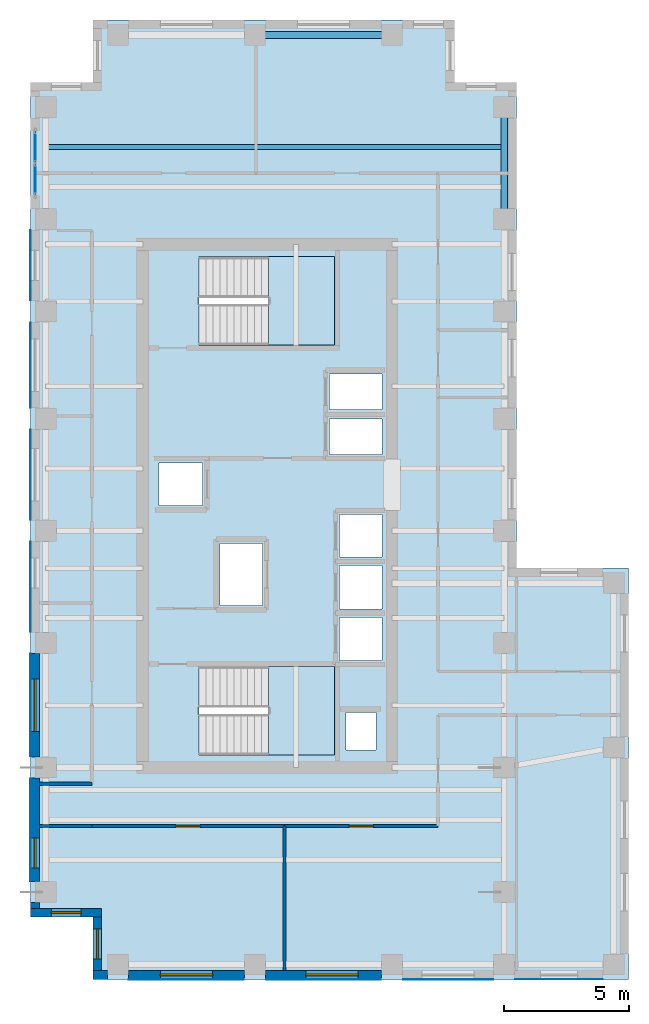
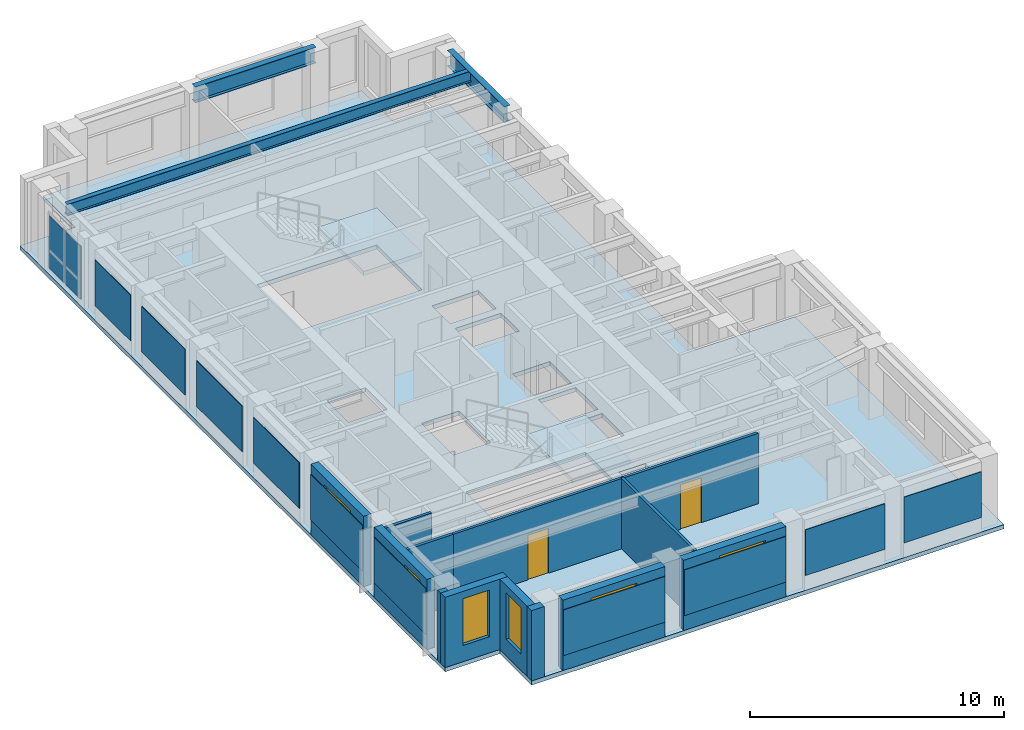
# One storey, part 5 of 10: 13 walls, 12 plates, 6 windows, 3 beams, 3 slabs, 2 doors, 8 openings, 3 elements without a shape of their own.
"""IFC4 building model written with IfcOpenShell, lengths in metres."""

from ifc_helpers import new_model, si_unit, direction, frame, frame_2d, origin, origin_2d, place, context, subcontext, project, spatial, polyline, rectangle, i_section, outline, extrude, source, transform, mapped, material, layer, layer_set, material_profile, profile_set, type_object, element, fill, aggregate, save


model = new_model("IFC4")

# Units and contexts
model_context = context("Model", 3, precision=1e-05, world=origin(), true_north=direction((0.0, 1.0)))
body_context = subcontext(model_context, "Body", "Model", "MODEL_VIEW")
ifc_project = project(units=[si_unit("LENGTHUNIT", "METRE"), si_unit("AREAUNIT", "SQUARE_METRE"), si_unit("VOLUMEUNIT", "CUBIC_METRE"), si_unit("PLANEANGLEUNIT", "RADIAN"), si_unit("MASSUNIT", "GRAM", prefix="KILO")], contexts=[model_context])

# Site, building, storey
site_placement = place(None, origin())
site = spatial("IfcSite", under=ifc_project, at=site_placement, CompositionType="ELEMENT")
building_placement = place(site_placement, origin())
building = spatial("IfcBuilding", under=site, at=building_placement, Name="Kharzan Plaza Tower", CompositionType="ELEMENT")
storey_placement = place(building_placement, frame((0.0, 0.0, 266.39990234375)))
storey = spatial("IfcBuildingStorey", under=building, at=storey_placement, Name="L72", CompositionType="ELEMENT", Elevation=266.39990234375)

# Beams
ifc_material_1 = material(Name="Steel S355", Category="steel")
ifc_material_profile_1 = material_profile(ifc_material_1, i_section(OverallWidth=0.2099609375, OverallDepth=0.537109375, WebThickness=0.010986328125, FlangeThickness=0.017333984375, at=origin_2d()), Name="W530x101")
ifc_profile_set_1 = profile_set([ifc_material_profile_1], Name="Steel S355")
beam_type_1 = type_object("IfcBeamType", Name="BM-JST530B", PredefinedType="JOIST", material=ifc_profile_set_1)
shared_shape_1 = source(origin(), body_context, "Body", "SweptSolid", [
    extrude(i_section(OverallWidth=0.2099609375, OverallDepth=0.537109375, WebThickness=0.010986328125, FlangeThickness=0.017333984375, at=origin_2d()), origin(), (0.0, 0.0, 1.0), 18.39990234375),
])
beam_1_placement = place(storey_placement, frame((0.60009765625, 33.39990234375, 3.131591796875), z_axis=(1.0, 0.0, 0.0), x_axis=(0.0, 1.0, 0.0)))
element("IfcBeam", 1, at=beam_1_placement, inside=storey, type_object=beam_type_1, Name="L72 Wing A Composite Joist 05", PredefinedType="JOIST", context=body_context, shape_type="MappedRepresentation", body=[
    mapped(shared_shape_1, transform((0.0, 0.0, 0.0), x_axis=(1.0, 0.0, 0.0), y_axis=(0.0, 1.0, 0.0), z_axis=(0.0, 0.0, 1.0))),
])
ifc_material_profile_2 = material_profile(ifc_material_1, i_section(OverallWidth=0.26708984375, OverallDepth=0.76611328125, WebThickness=0.014892578125, FlangeThickness=0.023681640625, at=origin_2d()), Name="W760x185")
ifc_profile_set_2 = profile_set([ifc_material_profile_2], Name="Steel S355")
beam_type_2 = type_object("IfcBeamType", Name="BM-SP760B", PredefinedType="SPANDREL", material=ifc_profile_set_2)
shared_shape_2 = source(origin(), body_context, "Body", "SweptSolid", [
    extrude(i_section(OverallWidth=0.26708984375, OverallDepth=0.76611328125, WebThickness=0.014892578125, FlangeThickness=0.023681640625, at=origin_2d()), origin(), (0.0, 0.0, 1.0), 4.5),
])
beam_2_placement = place(storey_placement, frame((19.0, 30.5, 3.01708984375), z_axis=(0.0, 1.0, 0.0), x_axis=(-1.0, 0.0, 0.0)))
element("IfcBeam", 2, at=beam_2_placement, inside=storey, type_object=beam_type_2, Name="L72 Perimeter Tube Spandrel", PredefinedType="SPANDREL", context=body_context, shape_type="MappedRepresentation", body=[
    mapped(shared_shape_2, transform((0.0, 0.0, 0.0), x_axis=(1.0, 0.0, 0.0), y_axis=(0.0, 1.0, 0.0), z_axis=(0.0, 0.0, 1.0))),
])
shared_shape_3 = source(origin(), body_context, "Body", "SweptSolid", [
    extrude(i_section(OverallWidth=0.26708984375, OverallDepth=0.76611328125, WebThickness=0.014892578125, FlangeThickness=0.023681640625, at=origin_2d()), origin(), (0.0, 0.0, 1.0), 5.5),
])
beam_3_placement = place(storey_placement, frame((9.0, 37.89990234375, 3.01708984375), z_axis=(1.0, 0.0, 0.0), x_axis=(0.0, 1.0, 0.0)))
element("IfcBeam", 3, at=beam_3_placement, inside=storey, type_object=beam_type_2, Name="L72 Perimeter Tube Spandrel", PredefinedType="SPANDREL", context=body_context, shape_type="MappedRepresentation", body=[
    mapped(shared_shape_3, transform((0.0, 0.0, 0.0), x_axis=(1.0, 0.0, 0.0), y_axis=(0.0, 1.0, 0.0), z_axis=(0.0, 0.0, 1.0))),
])

# Slab
ifc_material_2 = material(Name="Concrete C40/50", Category="concrete")
ifc_layer_1 = layer(ifc_material_2, 0.199951171875)
ifc_layer_set_1 = layer_set([ifc_layer_1], Name="Concrete C40/50")
slab_type_1 = type_object("IfcSlabType", Name="SL-FLOOR-200", PredefinedType="FLOOR", material=ifc_layer_set_1)
slab_1_placement = place(storey_placement, frame((0.0, 0.0, -0.199951171875)))
element("IfcSlab", 4, at=slab_1_placement, inside=storey, type_object=slab_type_1, Name="L72 Composite Structural Floor Slab 200 mm", PredefinedType="FLOOR", context=body_context, shape_type="SweptSolid", body=[
    extrude(outline(polyline([(19.5, 36.0), (17.0, 36.0), (17.0, 38.5), (2.5, 38.5), (2.5, 36.0), (0.0, 36.0), (0.0, 2.5), (2.5, 2.5), (2.5, 0.0), (19.5, 0.0), (24.0, 0.0), (24.0, 16.5), (19.5, 16.5), (19.5, 36.0)]), holes=[polyline([(13.85009765625, 10.699951171875), (12.64990234375, 10.699951171875), (12.64990234375, 9.199951171875), (13.85009765625, 9.199951171875), (13.85009765625, 10.699951171875)]), polyline([(12.199951171875, 12.550048828125), (6.75, 12.550048828125), (6.75, 9.0), (12.199951171875, 9.0), (12.199951171875, 12.550048828125)]), polyline([(14.10009765625, 14.530029296875), (12.39990234375, 14.530029296875), (12.39990234375, 12.800048828125), (14.10009765625, 12.800048828125), (14.10009765625, 14.530029296875)]), polyline([(14.10009765625, 14.8701171875), (14.10009765625, 16.60009765625), (12.39990234375, 16.60009765625), (12.39990234375, 14.8701171875), (14.10009765625, 14.8701171875)]), polyline([(9.300048828125, 15.0), (9.300048828125, 17.5), (7.60009765625, 17.5), (7.60009765625, 15.0), (9.300048828125, 15.0)]), polyline([(14.10009765625, 18.64990234375), (12.39990234375, 18.64990234375), (12.39990234375, 16.93994140625), (14.10009765625, 16.93994140625), (14.10009765625, 18.64990234375)]), polyline([(6.89990234375, 20.72998046875), (5.14990234375, 20.72998046875), (5.14990234375, 19.010009765625), (6.89990234375, 19.010009765625), (6.89990234375, 20.72998046875)]), polyline([(14.10009765625, 22.489990234375), (12.0, 22.489990234375), (12.0, 21.070068359375), (14.10009765625, 21.070068359375), (14.10009765625, 22.489990234375)]), polyline([(14.10009765625, 22.8701171875), (14.10009765625, 24.2900390625), (12.0, 24.2900390625), (12.0, 22.8701171875), (14.10009765625, 22.8701171875)]), polyline([(12.199951171875, 25.449951171875), (12.199951171875, 29.0), (6.75, 29.0), (6.75, 25.449951171875), (12.199951171875, 25.449951171875)])]), origin(), (0.0, 0.0, 1.0), 0.199951171875),
])

# Stair, slab
stair_type_1 = type_object("IfcStairType", Name="STR-ST-1", PredefinedType="HALF_TURN_STAIR", material=ifc_material_2)
stair_1_placement = place(storey_placement, origin())
stair_1 = element("IfcStair", 5, at=stair_1_placement, inside=storey, type_object=stair_type_1, Name="L72 Protected Exit Stair ST-1", PredefinedType="HALF_TURN_STAIR")
ifc_layer_2 = layer(ifc_material_2, 0.219970703125)
ifc_layer_set_2 = layer_set([ifc_layer_2], Name="Concrete C40/50")
slab_type_2 = type_object("IfcSlabType", Name="SL-LANDING-220", PredefinedType="LANDING", material=ifc_layer_set_2)
slab_2_placement = place(storey_placement, frame((0.0, 0.0, 1.60009765625)))
slab_2 = element("IfcSlab", 6, at=slab_2_placement, type_object=slab_type_2, Name="ST-1 landing 1", PredefinedType="LANDING", context=body_context, shape_type="SweptSolid", body=[
    extrude(outline(polyline([(9.550048828125, 9.0), (12.199951171875, 9.0), (12.199951171875, 12.550048828125), (9.550048828125, 12.550048828125), (9.550048828125, 9.0)])), origin(), (0.0, 0.0, 1.0), 0.199951171875),
])
aggregate(stair_1, [slab_2])

stair_type_2 = type_object("IfcStairType", Name="STR-ST-2", PredefinedType="HALF_TURN_STAIR", material=ifc_material_2)
stair_2_placement = place(storey_placement, origin())
stair_2 = element("IfcStair", 7, at=stair_2_placement, inside=storey, type_object=stair_type_2, Name="L72 Protected Exit Stair ST-2", PredefinedType="HALF_TURN_STAIR")
slab_3_placement = place(storey_placement, frame((0.0, 0.0, 1.60009765625)))
slab_3 = element("IfcSlab", 8, at=slab_3_placement, type_object=slab_type_2, Name="ST-2 landing 1", PredefinedType="LANDING", context=body_context, shape_type="SweptSolid", body=[
    extrude(outline(polyline([(9.550048828125, 25.449951171875), (12.199951171875, 25.449951171875), (12.199951171875, 29.0), (9.550048828125, 29.0), (9.550048828125, 25.449951171875)])), origin(), (0.0, 0.0, 1.0), 0.199951171875),
])
aggregate(stair_2, [slab_3])

# Plates
ifc_material_3 = material(Name="Perforated Bronze-Anodized Aluminium", Category="aluminium")
ifc_layer_3 = layer(ifc_material_3, 0.030029296875)
ifc_layer_set_3 = layer_set([ifc_layer_3], Name="Perforated Bronze-Anodized Aluminium")
plate_type_1 = type_object("IfcPlateType", Name="PLT-MASH-SCREEN", PredefinedType="SHEET", material=ifc_layer_set_3)
shared_shape_4 = source(origin(), body_context, "Body", "SweptSolid", [
    extrude(rectangle(XDim=3.614013671875, YDim=0.030029296875, at=origin_2d()), origin(), (0.0, 0.0, 1.0), 2.199951171875),
])
for number, where, z_axis, x_axis, name in (
    (9, (-0.012939453125, 20.25, 0.72998046875), (0.0, 0.0, 1.0), (0.0, -1.0, 0.0), "L72 Perforated Mashrabiya Solar Screen"),
    (10, (-0.012939453125, 15.75, 0.72998046875), (0.0, 0.0, 1.0), (0.0, -1.0, 0.0), "L72 Perforated Mashrabiya Solar Screen"),
    (11, (16.75, -0.012939453125, 0.72998046875), (0.0, 0.0, 1.0), (1.0, 0.0, 0.0), "L72 Perforated Mashrabiya Solar Screen"),
):
    element("IfcPlate", number, at=place(storey_placement, frame(where, z_axis=z_axis, x_axis=x_axis)), inside=storey, type_object=plate_type_1, Name=name, PredefinedType="SHEET", context=body_context, shape_type="MappedRepresentation", body=[
        mapped(shared_shape_4, transform((0.0, 0.0, 0.0), x_axis=(1.0, 0.0, 0.0), y_axis=(0.0, 1.0, 0.0), z_axis=(0.0, 0.0, 1.0))),
    ])
shared_shape_5 = source(origin(), body_context, "Body", "SweptSolid", [
    extrude(rectangle(XDim=2.81396484375, YDim=0.030029296875, at=origin_2d()), origin(), (0.0, 0.0, 1.0), 2.199951171875),
])
plate_1_placement = place(storey_placement, frame((-0.012939453125, 28.64990234375, 0.72998046875), z_axis=(0.0, 0.0, 1.0), x_axis=(0.0, -1.0, 0.0)))
element("IfcPlate", 12, at=plate_1_placement, inside=storey, type_object=plate_type_1, Name="L72 Perforated Mashrabiya Solar Screen", PredefinedType="SHEET", context=body_context, shape_type="MappedRepresentation", body=[
    mapped(shared_shape_5, transform((0.0, 0.0, 0.0), x_axis=(1.0, 0.0, 0.0), y_axis=(0.0, 1.0, 0.0), z_axis=(0.0, 0.0, 1.0))),
])
shared_shape_6 = source(origin(), body_context, "Body", "SweptSolid", [
    extrude(rectangle(XDim=4.114013671875, YDim=0.030029296875, at=origin_2d()), origin(), (0.0, 0.0, 1.0), 2.199951171875),
])
for number, where, z_axis, x_axis, name in (
    (13, (-0.012939453125, 11.0, 0.72998046875), (0.0, 0.0, 1.0), (0.0, -1.0, 0.0), "L72 Perforated Mashrabiya Solar Screen"),
    (14, (-0.012939453125, 6.0, 0.72998046875), (0.0, 0.0, 1.0), (0.0, -1.0, 0.0), "L72 Perforated Mashrabiya Solar Screen"),
):
    element("IfcPlate", number, at=place(storey_placement, frame(where, z_axis=z_axis, x_axis=x_axis)), inside=storey, type_object=plate_type_1, Name=name, PredefinedType="SHEET", context=body_context, shape_type="MappedRepresentation", body=[
        mapped(shared_shape_6, transform((0.0, 0.0, 0.0), x_axis=(1.0, 0.0, 0.0), y_axis=(0.0, 1.0, 0.0), z_axis=(0.0, 0.0, 1.0))),
    ])
shared_shape_7 = source(origin(), body_context, "Body", "SweptSolid", [
    extrude(rectangle(XDim=4.614013671875, YDim=0.030029296875, at=origin_2d()), origin(), (0.0, 0.0, 1.0), 2.199951171875),
])
for number, where, z_axis, x_axis, name in (
    (15, (6.25, -0.012939453125, 0.72998046875), (0.0, 0.0, 1.0), (1.0, 0.0, 0.0), "L72 Perforated Mashrabiya Solar Screen"),
    (16, (11.75, -0.012939453125, 0.72998046875), (0.0, 0.0, 1.0), (1.0, 0.0, 0.0), "L72 Perforated Mashrabiya Solar Screen"),
):
    element("IfcPlate", number, at=place(storey_placement, frame(where, z_axis=z_axis, x_axis=x_axis)), inside=storey, type_object=plate_type_1, Name=name, PredefinedType="SHEET", context=body_context, shape_type="MappedRepresentation", body=[
        mapped(shared_shape_7, transform((0.0, 0.0, 0.0), x_axis=(1.0, 0.0, 0.0), y_axis=(0.0, 1.0, 0.0), z_axis=(0.0, 0.0, 1.0))),
    ])
shared_shape_8 = source(origin(), body_context, "Body", "SweptSolid", [
    extrude(rectangle(XDim=3.4140625, YDim=0.030029296875, at=origin_2d()), origin(), (0.0, 0.0, 1.0), 2.199951171875),
])
plate_2_placement = place(storey_placement, frame((-0.012939453125, 24.64990234375, 0.72998046875), z_axis=(0.0, 0.0, 1.0), x_axis=(0.0, -1.0, 0.0)))
element("IfcPlate", 17, at=plate_2_placement, inside=storey, type_object=plate_type_1, Name="L72 Perforated Mashrabiya Solar Screen", PredefinedType="SHEET", context=body_context, shape_type="MappedRepresentation", body=[
    mapped(shared_shape_8, transform((0.0, 0.0, 0.0), x_axis=(1.0, 0.0, 0.0), y_axis=(0.0, 1.0, 0.0), z_axis=(0.0, 0.0, 1.0))),
])

# Curtain wall, plates
ifc_material_4 = material(Name="Unitised Bronze-Anodized Aluminium and Low-E Glass", Category="aluminium")
ifc_layer_4 = layer(ifc_material_4, 0.199951171875)
ifc_layer_set_4 = layer_set([ifc_layer_4], Name="Unitised Bronze-Anodized Aluminium and Low-E Glass")
curtain_wall_type = type_object("IfcCurtainWallType", Name="CW-EXEC-5", PredefinedType="NOTDEFINED", material=ifc_layer_set_4)
curtain_wall_placement = place(storey_placement, origin())
curtain_wall = element("IfcCurtainWall", 18, at=curtain_wall_placement, inside=storey, type_object=curtain_wall_type, Name="L72 Upper Executive Setback Panoramic Curtain Wall", PredefinedType="NOTDEFINED")
ifc_material_5 = material(Name="Dark Solar-Control Double Glazing", Category="glass")
ifc_layer_5 = layer(ifc_material_5, 0.031982421875)
ifc_layer_set_5 = layer_set([ifc_layer_5], Name="Dark Solar-Control Double Glazing")
plate_type_2 = type_object("IfcPlateType", Name="PLT-CW-GLASS", PredefinedType="CURTAIN_PANEL", material=ifc_layer_set_5)
shared_shape_9 = source(origin(), body_context, "Body", "SweptSolid", [
    extrude(rectangle(XDim=1.179931640625, YDim=0.031982421875, at=origin_2d()), origin(), (0.0, 0.0, 1.0), 2.5400390625),
])
plate_3_placement = place(storey_placement, frame((0.179931640625, 32.10009765625, 0.080078125), z_axis=(0.0, 0.0, 1.0), x_axis=(0.0, 1.0, 0.0)))
plate_3 = element("IfcPlate", 19, at=plate_3_placement, type_object=plate_type_2, Name="L72 Curtain-Wall Glazed Panel 00", PredefinedType="CURTAIN_PANEL", context=body_context, shape_type="MappedRepresentation", body=[
    mapped(shared_shape_9, transform((0.0, 0.0, 0.0), x_axis=(1.0, 0.0, 0.0), y_axis=(0.0, 1.0, 0.0), z_axis=(0.0, 0.0, 1.0))),
])
plate_4_placement = place(storey_placement, frame((0.179931640625, 33.39990234375, 0.080078125), z_axis=(0.0, 0.0, 1.0), x_axis=(0.0, 1.0, 0.0)))
plate_4 = element("IfcPlate", 20, at=plate_4_placement, type_object=plate_type_2, Name="L72 Curtain-Wall Glazed Panel 01", PredefinedType="CURTAIN_PANEL", context=body_context, shape_type="MappedRepresentation", body=[
    mapped(shared_shape_9, transform((0.0, 0.0, 0.0), x_axis=(1.0, 0.0, 0.0), y_axis=(0.0, 1.0, 0.0), z_axis=(0.0, 0.0, 1.0))),
])
aggregate(curtain_wall, [plate_3, plate_4])

# Plate
shared_shape_10 = source(origin(), body_context, "Body", "SweptSolid", [
    extrude(rectangle(XDim=3.513916015625, YDim=0.030029296875, at=origin_2d()), origin(), (0.0, 0.0, 1.0), 2.199951171875),
])
plate_5_placement = place(storey_placement, frame((21.199951171875, -0.012939453125, 0.72998046875), z_axis=(0.0, 0.0, 1.0), x_axis=(1.0, 0.0, 0.0)))
element("IfcPlate", 21, at=plate_5_placement, inside=storey, type_object=plate_type_1, Name="L72 Perforated Mashrabiya Solar Screen", PredefinedType="SHEET", context=body_context, shape_type="MappedRepresentation", body=[
    mapped(shared_shape_10, transform((0.0, 0.0, 0.0), x_axis=(1.0, 0.0, 0.0), y_axis=(0.0, 1.0, 0.0), z_axis=(0.0, 0.0, 1.0))),
])

# Wall, opening, window
ifc_layer_6 = layer(ifc_material_2, 0.35009765625)
ifc_layer_set_6 = layer_set([ifc_layer_6], Name="Concrete C40/50")
wall_type_1 = type_object("IfcWallType", Name="WL-EXT-MAS-Z4", PredefinedType="SOLIDWALL", material=ifc_layer_set_6)
wall_1_placement = place(storey_placement, frame((0.175048828125, 13.076904296875, 0.0), z_axis=(0.0, 0.0, 1.0), x_axis=(0.0, -1.0, 0.0)))
wall_1 = element("IfcWall", 22, at=wall_1_placement, inside=storey, type_object=wall_type_1, Name="L72 Masonry-Frame Exterior Wall 15", PredefinedType="SOLIDWALL", context=body_context, shape_type="SweptSolid", body=[
    extrude(rectangle(XDim=4.15380859375, YDim=0.35009765625, at=frame_2d((2.076904296875, 0.0))), origin(), (0.0, 0.0, 1.0), 3.385009765625),
])
opening_1_placement = place(wall_1_placement, frame((1.027099609375, 0.0, 0.780029296875)))
opening_1 = element("IfcOpeningElement", 23, at=opening_1_placement, cuts=wall_1, Name="Opening W6", PredefinedType="OPENING", context=body_context, shape_type="SweptSolid", body=[
    extrude(rectangle(XDim=2.10009765625, YDim=2.25, at=frame_2d((1.050048828125, 1.125))), frame((0.0, 0.18505859375, 0.0), z_axis=(0.0, -1.0, 0.0), x_axis=(1.0, 0.0, 0.0)), (0.0, 0.0, 1.0), 0.3701171875),
])
ifc_material_6 = material(Name="Low-E Double Glazing", Category="glass")
window_type_1 = type_object("IfcWindowType", Name="WN-EXEC-2100x2250", PartitioningType="SINGLE_PANEL", PredefinedType="WINDOW", material=ifc_material_6)
shared_shape_11 = source(origin(), body_context, "Body", "SweptSolid", [
    extrude(rectangle(XDim=2.10009765625, YDim=2.25, at=frame_2d((1.050048828125, 1.125))), frame((0.0, 0.030029296875, 0.0), z_axis=(0.0, -1.0, 0.0), x_axis=(1.0, 0.0, 0.0)), (0.0, 0.0, 1.0), 0.06005859375),
])
window_1_placement = place(opening_1_placement, origin())
window_1 = element("IfcWindow", 24, at=window_1_placement, inside=storey, type_object=window_type_1, Name="L72 Recessed Solar-Control Window 15-1", OverallHeight=2.25, OverallWidth=2.10009765625, PartitioningType="SINGLE_PANEL", PredefinedType="WINDOW", context=body_context, shape_type="MappedRepresentation", body=[
    mapped(shared_shape_11, transform((0.0, 0.0, 0.0), x_axis=(1.0, 0.0, 0.0), y_axis=(0.0, 1.0, 0.0), z_axis=(0.0, 0.0, 1.0))),
])
fill(opening_1, window_1)

wall_2_placement = place(storey_placement, frame((0.175048828125, 8.076904296875, 0.0), z_axis=(0.0, 0.0, 1.0), x_axis=(0.0, -1.0, 0.0)))
wall_2 = element("IfcWall", 25, at=wall_2_placement, inside=storey, type_object=wall_type_1, Name="L72 Masonry-Frame Exterior Wall 16", PredefinedType="SOLIDWALL", context=body_context, shape_type="SweptSolid", body=[
    extrude(rectangle(XDim=4.15380859375, YDim=0.35009765625, at=frame_2d((2.076904296875, 0.0))), origin(), (0.0, 0.0, 1.0), 3.385009765625),
])
opening_2_placement = place(wall_2_placement, frame((2.405517578125, 0.0, 0.780029296875)))
opening_2 = element("IfcOpeningElement", 26, at=opening_2_placement, cuts=wall_2, Name="Opening W3", PredefinedType="OPENING", context=body_context, shape_type="SweptSolid", body=[
    extrude(rectangle(XDim=1.199951171875, YDim=2.25, at=frame_2d((0.60009765625, 1.125))), frame((0.0, 0.18505859375, 0.0), z_axis=(0.0, -1.0, 0.0), x_axis=(1.0, 0.0, 0.0)), (0.0, 0.0, 1.0), 0.3701171875),
])
window_type_2 = type_object("IfcWindowType", Name="WN-REC-1200x2100", PartitioningType="SINGLE_PANEL", PredefinedType="WINDOW", material=ifc_material_6)
shared_shape_12 = source(origin(), body_context, "Body", "SweptSolid", [
    extrude(rectangle(XDim=1.199951171875, YDim=2.25, at=frame_2d((0.60009765625, 1.125))), frame((0.0, 0.030029296875, 0.0), z_axis=(0.0, -1.0, 0.0), x_axis=(1.0, 0.0, 0.0)), (0.0, 0.0, 1.0), 0.06005859375),
])
window_2_placement = place(opening_2_placement, origin())
window_2 = element("IfcWindow", 27, at=window_2_placement, inside=storey, type_object=window_type_2, Name="L72 Recessed Solar-Control Window 16-1", OverallHeight=2.25, OverallWidth=1.199951171875, PartitioningType="SINGLE_PANEL", PredefinedType="WINDOW", context=body_context, shape_type="MappedRepresentation", body=[
    mapped(shared_shape_12, transform((0.0, 0.0, 0.0), x_axis=(1.0, 0.0, 0.0), y_axis=(0.0, 1.0, 0.0), z_axis=(0.0, 0.0, 1.0))),
])
fill(opening_2, window_2)

wall_3_placement = place(storey_placement, frame((0.0, 2.675048828125, 0.0), z_axis=(0.0, 0.0, 1.0), x_axis=(1.0, 0.0, 0.0)))
wall_3 = element("IfcWall", 28, at=wall_3_placement, inside=storey, type_object=wall_type_1, Name="L72 Masonry-Frame Exterior Wall 18", PredefinedType="SOLIDWALL", context=body_context, shape_type="SweptSolid", body=[
    extrude(rectangle(XDim=2.85009765625, YDim=0.35009765625, at=frame_2d((1.425048828125, 0.0))), origin(), (0.0, 0.0, 1.0), 3.385009765625),
])
opening_3_placement = place(wall_3_placement, frame((0.824951171875, 0.0, 0.780029296875)))
opening_3 = element("IfcOpeningElement", 29, at=opening_3_placement, cuts=wall_3, Name="Opening W3", PredefinedType="OPENING", context=body_context, shape_type="SweptSolid", body=[
    extrude(rectangle(XDim=1.199951171875, YDim=2.25, at=frame_2d((0.60009765625, 1.125))), frame((0.0, 0.18505859375, 0.0), z_axis=(0.0, -1.0, 0.0), x_axis=(1.0, 0.0, 0.0)), (0.0, 0.0, 1.0), 0.3701171875),
])
window_3_placement = place(opening_3_placement, origin())
window_3 = element("IfcWindow", 30, at=window_3_placement, inside=storey, type_object=window_type_2, Name="L72 Recessed Solar-Control Window 18-1", OverallHeight=2.25, OverallWidth=1.199951171875, PartitioningType="SINGLE_PANEL", PredefinedType="WINDOW", context=body_context, shape_type="MappedRepresentation", body=[
    mapped(shared_shape_12, transform((0.0, 0.0, 0.0), x_axis=(1.0, 0.0, 0.0), y_axis=(0.0, 1.0, 0.0), z_axis=(0.0, 0.0, 1.0))),
])
fill(opening_3, window_3)

wall_4_placement = place(storey_placement, frame((2.675048828125, 2.501953125, 0.0), z_axis=(0.0, 0.0, 1.0), x_axis=(0.0, -1.0, 0.0)))
wall_4 = element("IfcWall", 31, at=wall_4_placement, inside=storey, type_object=wall_type_1, Name="L72 Masonry-Frame Exterior Wall 19", PredefinedType="SOLIDWALL", context=body_context, shape_type="SweptSolid", body=[
    extrude(rectangle(XDim=2.154052734375, YDim=0.35009765625, at=frame_2d((1.0771484375, 0.0))), origin(), (0.0, 0.0, 1.0), 3.385009765625),
])
opening_4_placement = place(wall_4_placement, frame((0.47705078125, 0.0, 0.780029296875)))
opening_4 = element("IfcOpeningElement", 32, at=opening_4_placement, cuts=wall_4, Name="Opening W3", PredefinedType="OPENING", context=body_context, shape_type="SweptSolid", body=[
    extrude(rectangle(XDim=1.199951171875, YDim=2.25, at=frame_2d((0.60009765625, 1.125))), frame((0.0, 0.18505859375, 0.0), z_axis=(0.0, -1.0, 0.0), x_axis=(1.0, 0.0, 0.0)), (0.0, 0.0, 1.0), 0.3701171875),
])
window_4_placement = place(opening_4_placement, origin())
window_4 = element("IfcWindow", 33, at=window_4_placement, inside=storey, type_object=window_type_2, Name="L72 Recessed Solar-Control Window 19-1", OverallHeight=2.25, OverallWidth=1.199951171875, PartitioningType="SINGLE_PANEL", PredefinedType="WINDOW", context=body_context, shape_type="MappedRepresentation", body=[
    mapped(shared_shape_12, transform((0.0, 0.0, 0.0), x_axis=(1.0, 0.0, 0.0), y_axis=(0.0, 1.0, 0.0), z_axis=(0.0, 0.0, 1.0))),
])
fill(opening_4, window_4)

wall_5_placement = place(storey_placement, frame((3.923095703125, 0.175048828125, 0.0), z_axis=(0.0, 0.0, 1.0), x_axis=(1.0, 0.0, 0.0)))
wall_5 = element("IfcWall", 34, at=wall_5_placement, inside=storey, type_object=wall_type_1, Name="L72 Masonry-Frame Exterior Wall 21", PredefinedType="SOLIDWALL", context=body_context, shape_type="SweptSolid", body=[
    extrude(rectangle(XDim=4.65380859375, YDim=0.35009765625, at=frame_2d((2.326904296875, 0.0))), origin(), (0.0, 0.0, 1.0), 3.385009765625),
])
opening_5_placement = place(wall_5_placement, frame((1.277099609375, 0.0, 0.780029296875)))
opening_5 = element("IfcOpeningElement", 35, at=opening_5_placement, cuts=wall_5, Name="Opening W6", PredefinedType="OPENING", context=body_context, shape_type="SweptSolid", body=[
    extrude(rectangle(XDim=2.10009765625, YDim=2.25, at=frame_2d((1.050048828125, 1.125))), frame((0.0, 0.18505859375, 0.0), z_axis=(0.0, -1.0, 0.0), x_axis=(1.0, 0.0, 0.0)), (0.0, 0.0, 1.0), 0.3701171875),
])
window_5_placement = place(opening_5_placement, origin())
window_5 = element("IfcWindow", 36, at=window_5_placement, inside=storey, type_object=window_type_1, Name="L72 Recessed Solar-Control Window 21-1", OverallHeight=2.25, OverallWidth=2.10009765625, PartitioningType="SINGLE_PANEL", PredefinedType="WINDOW", context=body_context, shape_type="MappedRepresentation", body=[
    mapped(shared_shape_11, transform((0.0, 0.0, 0.0), x_axis=(1.0, 0.0, 0.0), y_axis=(0.0, 1.0, 0.0), z_axis=(0.0, 0.0, 1.0))),
])
fill(opening_5, window_5)

wall_6_placement = place(storey_placement, frame((9.423095703125, 0.175048828125, 0.0), z_axis=(0.0, 0.0, 1.0), x_axis=(1.0, 0.0, 0.0)))
wall_6 = element("IfcWall", 37, at=wall_6_placement, inside=storey, type_object=wall_type_1, Name="L72 Masonry-Frame Exterior Wall 22", PredefinedType="SOLIDWALL", context=body_context, shape_type="SweptSolid", body=[
    extrude(rectangle(XDim=4.65380859375, YDim=0.35009765625, at=frame_2d((2.326904296875, 0.0))), origin(), (0.0, 0.0, 1.0), 3.385009765625),
])
opening_6_placement = place(wall_6_placement, frame((1.6201171875, 0.0, 0.780029296875)))
opening_6 = element("IfcOpeningElement", 38, at=opening_6_placement, cuts=wall_6, Name="Opening W6", PredefinedType="OPENING", context=body_context, shape_type="SweptSolid", body=[
    extrude(rectangle(XDim=2.10009765625, YDim=2.25, at=frame_2d((1.050048828125, 1.125))), frame((0.0, 0.18505859375, 0.0), z_axis=(0.0, -1.0, 0.0), x_axis=(1.0, 0.0, 0.0)), (0.0, 0.0, 1.0), 0.3701171875),
])
window_6_placement = place(opening_6_placement, origin())
window_6 = element("IfcWindow", 39, at=window_6_placement, inside=storey, type_object=window_type_1, Name="L72 Recessed Solar-Control Window 22-1", OverallHeight=2.25, OverallWidth=2.10009765625, PartitioningType="SINGLE_PANEL", PredefinedType="WINDOW", context=body_context, shape_type="MappedRepresentation", body=[
    mapped(shared_shape_11, transform((0.0, 0.0, 0.0), x_axis=(1.0, 0.0, 0.0), y_axis=(0.0, 1.0, 0.0), z_axis=(0.0, 0.0, 1.0))),
])
fill(opening_6, window_6)

# Wall, opening, door
ifc_material_7 = material(Name="Fire-Rated Gypsum Board Partition", Category="gypsum")
ifc_layer_7 = layer(ifc_material_7, 0.125)
ifc_layer_set_7 = layer_set([ifc_layer_7], Name="Fire-Rated Gypsum Board Partition")
wall_type_2 = type_object("IfcWallType", Name="WL-INT-PART-125", PredefinedType="PARTITIONING", material=ifc_layer_set_7)
wall_7_placement = place(storey_placement, frame((2.449951171875, 6.14990234375, 0.0), z_axis=(0.0, 0.0, 1.0), x_axis=(1.0, 0.0, 0.0)))
wall_7 = element("IfcWall", 40, at=wall_7_placement, inside=storey, type_object=wall_type_2, Name="L72 Interior Partition SH-SS-1", PredefinedType="PARTITIONING", context=body_context, shape_type="SweptSolid", body=[
    extrude(rectangle(XDim=7.72900390625, YDim=0.125, at=frame_2d((3.864501953125, 0.0))), origin(), (0.0, 0.0, 1.0), 3.385009765625),
])
opening_7_placement = place(wall_7_placement, frame((3.389404296875, 0.0, 0.0)))
opening_7 = element("IfcOpeningElement", 41, at=opening_7_placement, cuts=wall_7, Name="Opening OD1", PredefinedType="OPENING", context=body_context, shape_type="SweptSolid", body=[
    extrude(rectangle(XDim=0.949951171875, YDim=2.14990234375, at=frame_2d((0.47509765625, 1.074951171875))), frame((0.0, 0.072509765625, 0.0), z_axis=(0.0, -1.0, 0.0), x_axis=(1.0, 0.0, 0.0)), (0.0, 0.0, 1.0), 0.14501953125),
])
ifc_material_8 = material(Name="Acoustic Solid-Core Stained Oak", Category="timber")
door_type = type_object("IfcDoorType", Name="DR-OFF-SINGLE", OperationType="NOTDEFINED", PredefinedType="DOOR", material=ifc_material_8)
shared_shape_13 = source(origin(), body_context, "Body", "SweptSolid", [
    extrude(rectangle(XDim=0.949951171875, YDim=2.14990234375, at=frame_2d((0.47509765625, 1.074951171875))), frame((0.0, 0.02490234375, 0.0), z_axis=(0.0, -1.0, 0.0), x_axis=(1.0, 0.0, 0.0)), (0.0, 0.0, 1.0), 0.050048828125),
])
door_1_placement = place(opening_7_placement, origin())
door_1 = element("IfcDoor", 42, at=door_1_placement, inside=storey, type_object=door_type, Name="L72 Staff Tea Pantry Door", OperationType="SINGLE_SWING_RIGHT", OverallHeight=2.14990234375, OverallWidth=0.949951171875, PredefinedType="DOOR", context=body_context, shape_type="MappedRepresentation", body=[
    mapped(shared_shape_13, transform((0.0, 0.0, 0.0), x_axis=(1.0, 0.0, 0.0), y_axis=(0.0, 1.0, 0.0), z_axis=(0.0, 0.0, 1.0))),
])
fill(opening_7, door_1)

wall_8_placement = place(storey_placement, frame((10.178955078125, 6.14990234375, 0.0), z_axis=(0.0, 0.0, 1.0), x_axis=(1.0, 0.0, 0.0)))
wall_8 = element("IfcWall", 43, at=wall_8_placement, inside=storey, type_object=wall_type_2, Name="L72 Interior Partition SH-SS-2", PredefinedType="PARTITIONING", context=body_context, shape_type="SweptSolid", body=[
    extrude(rectangle(XDim=6.171142578125, YDim=0.125, at=frame_2d((3.08544921875, 0.0))), origin(), (0.0, 0.0, 1.0), 3.385009765625),
])
opening_8_placement = place(wall_8_placement, frame((2.610595703125, 0.0, 0.0)))
opening_8 = element("IfcOpeningElement", 44, at=opening_8_placement, cuts=wall_8, Name="Opening OD1", PredefinedType="OPENING", context=body_context, shape_type="SweptSolid", body=[
    extrude(rectangle(XDim=0.949951171875, YDim=2.14990234375, at=frame_2d((0.47509765625, 1.074951171875))), frame((0.0, 0.072509765625, 0.0), z_axis=(0.0, -1.0, 0.0), x_axis=(1.0, 0.0, 0.0)), (0.0, 0.0, 1.0), 0.14501953125),
])
door_2_placement = place(opening_8_placement, origin())
door_2 = element("IfcDoor", 45, at=door_2_placement, inside=storey, type_object=door_type, Name="L72 Staff Tea Pantry Door", OperationType="SINGLE_SWING_LEFT", OverallHeight=2.14990234375, OverallWidth=0.949951171875, PredefinedType="DOOR", context=body_context, shape_type="MappedRepresentation", body=[
    mapped(shared_shape_13, transform((0.0, 0.0, 0.0), x_axis=(1.0, 0.0, 0.0), y_axis=(0.0, 1.0, 0.0), z_axis=(0.0, 0.0, 1.0))),
])
fill(opening_8, door_2)

# Walls
shared_shape_14 = source(origin(), body_context, "Body", "SweptSolid", [
    extrude(rectangle(XDim=2.097900390625, YDim=0.125, at=frame_2d((1.048828125, 0.0))), origin(), (0.0, 0.0, 1.0), 3.385009765625),
])
for number, where, z_axis, x_axis, name in (
    (46, (0.35205078125, 7.85009765625, 0.0), (0.0, 0.0, 1.0), (1.0, 0.0, 0.0), "L72 Interior Partition SH-RWS0"),
    (47, (0.35205078125, 6.14990234375, 0.0), (0.0, 0.0, 1.0), (1.0, 0.0, 0.0), "L72 Interior Partition SH-SS-EXT"),
):
    element("IfcWall", number, at=place(storey_placement, frame(where, z_axis=z_axis, x_axis=x_axis)), inside=storey, type_object=wall_type_2, Name=name, PredefinedType="PARTITIONING", context=body_context, shape_type="MappedRepresentation", body=[
        mapped(shared_shape_14, transform((0.0, 0.0, 0.0), x_axis=(1.0, 0.0, 0.0), y_axis=(0.0, 1.0, 0.0), z_axis=(0.0, 0.0, 1.0))),
    ])
shared_shape_15 = source(origin(), body_context, "Body", "SweptSolid", [
    extrude(rectangle(XDim=5.7978515625, YDim=0.125, at=frame_2d((2.89892578125, 0.0))), origin(), (0.0, 0.0, 1.0), 3.385009765625),
])
wall_9_placement = place(storey_placement, frame((10.178955078125, 0.35205078125, 0.0), z_axis=(0.0, 0.0, 1.0), x_axis=(0.0, 1.0, 0.0)))
element("IfcWall", 48, at=wall_9_placement, inside=storey, type_object=wall_type_2, Name="L72 Interior Partition SH-SV-1", PredefinedType="PARTITIONING", context=body_context, shape_type="MappedRepresentation", body=[
    mapped(shared_shape_15, transform((0.0, 0.0, 0.0), x_axis=(1.0, 0.0, 0.0), y_axis=(0.0, 1.0, 0.0), z_axis=(0.0, 0.0, 1.0))),
])
shared_shape_16 = source(origin(), body_context, "Body", "SweptSolid", [
    extrude(rectangle(XDim=0.576904296875, YDim=0.35009765625, at=frame_2d((0.28857421875, 0.0))), origin(), (0.0, 0.0, 1.0), 3.385009765625),
])
wall_10_placement = place(storey_placement, frame((2.5, 0.175048828125, 0.0), z_axis=(0.0, 0.0, 1.0), x_axis=(1.0, 0.0, 0.0)))
element("IfcWall", 49, at=wall_10_placement, inside=storey, type_object=wall_type_1, Name="L72 Masonry-Frame Exterior Wall 20", PredefinedType="SOLIDWALL", context=body_context, shape_type="MappedRepresentation", body=[
    mapped(shared_shape_16, transform((0.0, 0.0, 0.0), x_axis=(1.0, 0.0, 0.0), y_axis=(0.0, 1.0, 0.0), z_axis=(0.0, 0.0, 1.0))),
])
shared_shape_17 = source(origin(), body_context, "Body", "SweptSolid", [
    extrude(rectangle(XDim=0.22900390625, YDim=0.35009765625, at=frame_2d((0.114501953125, 0.0))), origin(), (0.0, 0.0, 1.0), 3.385009765625),
])
wall_11_placement = place(storey_placement, frame((0.175048828125, 3.076904296875, 0.0), z_axis=(0.0, 0.0, 1.0), x_axis=(0.0, -1.0, 0.0)))
element("IfcWall", 50, at=wall_11_placement, inside=storey, type_object=wall_type_1, Name="L72 Masonry-Frame Exterior Wall 17", PredefinedType="SOLIDWALL", context=body_context, shape_type="MappedRepresentation", body=[
    mapped(shared_shape_17, transform((0.0, 0.0, 0.0), x_axis=(1.0, 0.0, 0.0), y_axis=(0.0, 1.0, 0.0), z_axis=(0.0, 0.0, 1.0))),
])

save(model, "model.ifc")
